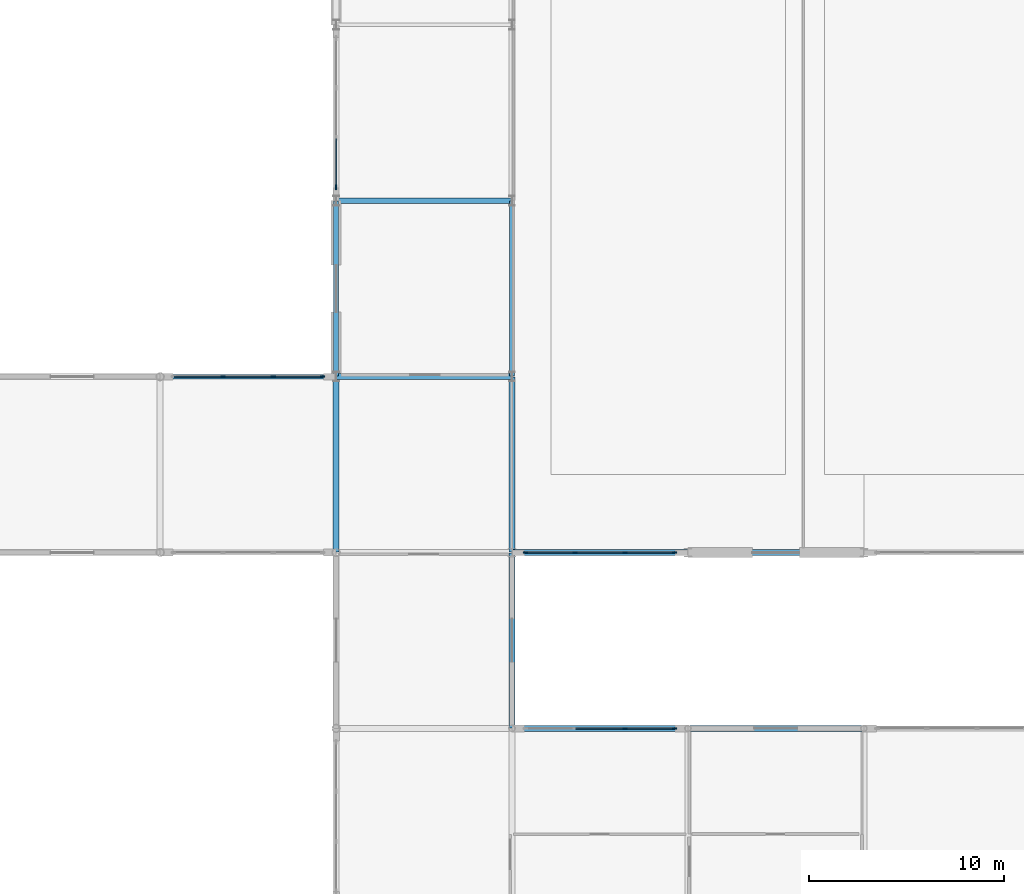
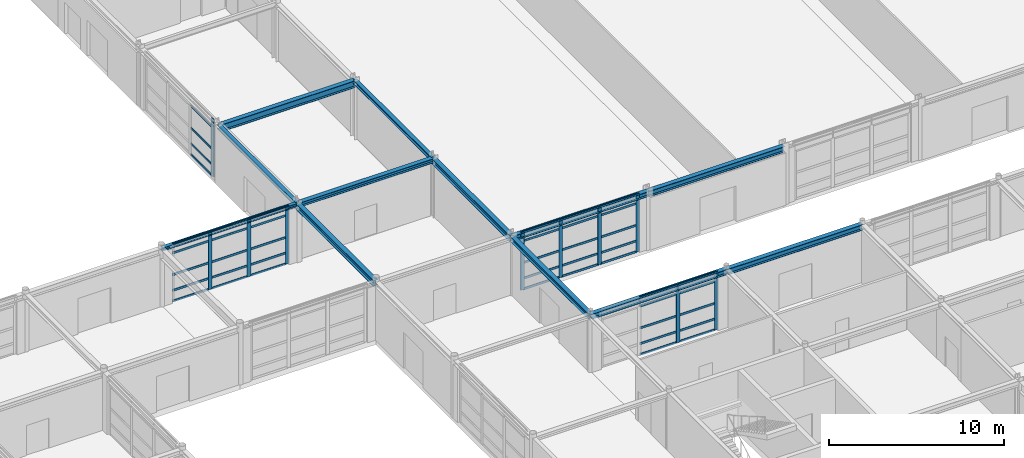
# One storey, part 35 of 72: 54 members, 12 beams, 4 elements without a shape of their own.
"""IFC4 building model written with IfcOpenShell, lengths in metres."""

from ifc_helpers import new_model, si_unit, direction, frame, origin, origin_2d, place, context, subcontext, project, spatial, rectangle, i_section, extrude, material, material_profile, profile_set, type_object, element, aggregate, save


model = new_model("IFC4")

# Units and contexts
model_context = context("Model", 3, precision=1e-05, world=origin(), true_north=direction((0.0, 1.0)))
body_context = subcontext(model_context, "Body", "Model", "MODEL_VIEW")
ifc_project = project(units=[si_unit("LENGTHUNIT", "METRE"), si_unit("AREAUNIT", "SQUARE_METRE"), si_unit("VOLUMEUNIT", "CUBIC_METRE"), si_unit("PLANEANGLEUNIT", "RADIAN"), si_unit("MASSUNIT", "GRAM", prefix="KILO")], contexts=[model_context])

# Site, building, storey
site_placement = place(None, origin())
site = spatial("IfcSite", under=ifc_project, at=site_placement, CompositionType="ELEMENT")
building_placement = place(site_placement, origin())
building = spatial("IfcBuilding", under=site, at=building_placement, Name="Palais des Congres Ocreval", CompositionType="ELEMENT")
storey_placement = place(building_placement, origin())
storey = spatial("IfcBuildingStorey", under=building, at=storey_placement, Name="L00", CompositionType="ELEMENT", Elevation=0.0)

# Curtain wall, members
ifc_material_1 = material(Name="Anodized bronze aluminium and low-E glass", Category="glass")
curtain_wall_type = type_object("IfcCurtainWallType", Name="Unitised Curtain Wall 7900x4060", PredefinedType="USERDEFINED", material=ifc_material_1)
curtain_wall_1_placement = place(storey_placement, origin())
curtain_wall_1 = element("IfcCurtainWall", 1, at=curtain_wall_1_placement, inside=storey, type_object=curtain_wall_type, Name="Unitised Curtain Wall CW01 L00", ObjectType="UNITISED CURTAIN WALL", PredefinedType="USERDEFINED")
ifc_material_2 = material(Name="Anodized bronze aluminium", Category="aluminium")
ifc_material_profile_1 = material_profile(ifc_material_2, rectangle(XDim=0.074951171875, YDim=0.239990234375, at=origin_2d()), Name="ALU 75x240")
ifc_profile_set_1 = profile_set([ifc_material_profile_1], Name="Anodized bronze aluminium")
member_type_1 = type_object("IfcMemberType", Name="Curtain Wall Mullion ALU 75x240", PredefinedType="MULLION", material=ifc_profile_set_1)
member_1_placement = place(storey_placement, frame((93.216796875, 81.0, 0.0), z_axis=(0.0, 0.0, 1.0), x_axis=(0.0, 1.0, 0.0)))
member_1 = element("IfcMember", 2, at=member_1_placement, type_object=member_type_1, Name="Curtain Wall Mullion ML01", PredefinedType="MULLION", context=body_context, shape_type="SweptSolid", body=[
    extrude(rectangle(XDim=0.074951171875, YDim=0.239990234375, at=origin_2d()), origin(), (0.0, 0.0, 1.0), 4.054931640625),
])
member_2_placement = place(storey_placement, frame((95.783203125, 81.0, 0.0), z_axis=(0.0, 0.0, 1.0), x_axis=(0.0, 1.0, 0.0)))
member_2 = element("IfcMember", 3, at=member_2_placement, type_object=member_type_1, Name="Curtain Wall Mullion ML01", PredefinedType="MULLION", context=body_context, shape_type="SweptSolid", body=[
    extrude(rectangle(XDim=0.074951171875, YDim=0.239990234375, at=origin_2d()), origin(), (0.0, 0.0, 1.0), 4.054931640625),
])
member_3_placement = place(storey_placement, frame((98.3125, 81.0, 0.0), z_axis=(0.0, 0.0, 1.0), x_axis=(0.0, 1.0, 0.0)))
member_3 = element("IfcMember", 4, at=member_3_placement, type_object=member_type_1, Name="Curtain Wall Mullion ML01", PredefinedType="MULLION", context=body_context, shape_type="SweptSolid", body=[
    extrude(rectangle(XDim=0.074951171875, YDim=0.239990234375, at=origin_2d()), origin(), (0.0, 0.0, 1.0), 4.054931640625),
])

# Curtain wall, member
curtain_wall_2_placement = place(storey_placement, origin())
curtain_wall_2 = element("IfcCurtainWall", 5, at=curtain_wall_2_placement, inside=storey, type_object=curtain_wall_type, Name="Unitised Curtain Wall CW01 L00", ObjectType="UNITISED CURTAIN WALL", PredefinedType="USERDEFINED")
member_4_placement = place(storey_placement, frame((99.0, 90.6875, 0.0), z_axis=(0.0, 0.0, 1.0), x_axis=(-1.0, 0.0, 0.0)))
member_4 = element("IfcMember", 6, at=member_4_placement, type_object=member_type_1, Name="Curtain Wall Mullion ML01", PredefinedType="MULLION", context=body_context, shape_type="SweptSolid", body=[
    extrude(rectangle(XDim=0.074951171875, YDim=0.239990234375, at=origin_2d()), origin(), (0.0, 0.0, 1.0), 4.054931640625),
])

# Curtain wall, members
curtain_wall_3_placement = place(storey_placement, origin())
curtain_wall_3 = element("IfcCurtainWall", 7, at=curtain_wall_3_placement, inside=storey, type_object=curtain_wall_type, Name="Unitised Curtain Wall CW01 L00", ObjectType="UNITISED CURTAIN WALL", PredefinedType="USERDEFINED")
member_5_placement = place(storey_placement, frame((116.3125, 72.0, 0.0), z_axis=(0.0, 0.0, 1.0), x_axis=(0.0, -1.0, 0.0)))
member_5 = element("IfcMember", 8, at=member_5_placement, type_object=member_type_1, Name="Curtain Wall Mullion ML01", PredefinedType="MULLION", context=body_context, shape_type="SweptSolid", body=[
    extrude(rectangle(XDim=0.074951171875, YDim=0.239990234375, at=origin_2d()), origin(), (0.0, 0.0, 1.0), 4.054931640625),
])
member_6_placement = place(storey_placement, frame((113.783203125, 72.0, 0.0), z_axis=(0.0, 0.0, 1.0), x_axis=(0.0, -1.0, 0.0)))
member_6 = element("IfcMember", 9, at=member_6_placement, type_object=member_type_1, Name="Curtain Wall Mullion ML01", PredefinedType="MULLION", context=body_context, shape_type="SweptSolid", body=[
    extrude(rectangle(XDim=0.074951171875, YDim=0.239990234375, at=origin_2d()), origin(), (0.0, 0.0, 1.0), 4.054931640625),
])
member_7_placement = place(storey_placement, frame((111.216796875, 72.0, 0.0), z_axis=(0.0, 0.0, 1.0), x_axis=(0.0, -1.0, 0.0)))
member_7 = element("IfcMember", 10, at=member_7_placement, type_object=member_type_1, Name="Curtain Wall Mullion ML01", PredefinedType="MULLION", context=body_context, shape_type="SweptSolid", body=[
    extrude(rectangle(XDim=0.074951171875, YDim=0.239990234375, at=origin_2d()), origin(), (0.0, 0.0, 1.0), 4.054931640625),
])
member_8_placement = place(storey_placement, frame((108.6875, 72.0, 0.0), z_axis=(0.0, 0.0, 1.0), x_axis=(0.0, -1.0, 0.0)))
member_8 = element("IfcMember", 11, at=member_8_placement, type_object=member_type_1, Name="Curtain Wall Mullion ML01", PredefinedType="MULLION", context=body_context, shape_type="SweptSolid", body=[
    extrude(rectangle(XDim=0.074951171875, YDim=0.239990234375, at=origin_2d()), origin(), (0.0, 0.0, 1.0), 4.054931640625),
])

curtain_wall_4_placement = place(storey_placement, origin())
curtain_wall_4 = element("IfcCurtainWall", 12, at=curtain_wall_4_placement, inside=storey, type_object=curtain_wall_type, Name="Unitised Curtain Wall CW01 L00", ObjectType="UNITISED CURTAIN WALL", PredefinedType="USERDEFINED")
member_9_placement = place(storey_placement, frame((113.783203125, 63.0, 0.0), z_axis=(0.0, 0.0, 1.0), x_axis=(0.0, 1.0, 0.0)))
member_9 = element("IfcMember", 13, at=member_9_placement, type_object=member_type_1, Name="Curtain Wall Mullion ML01", PredefinedType="MULLION", context=body_context, shape_type="SweptSolid", body=[
    extrude(rectangle(XDim=0.074951171875, YDim=0.239990234375, at=origin_2d()), origin(), (0.0, 0.0, 1.0), 4.054931640625),
])
member_10_placement = place(storey_placement, frame((116.3125, 63.0, 0.0), z_axis=(0.0, 0.0, 1.0), x_axis=(0.0, 1.0, 0.0)))
member_10 = element("IfcMember", 14, at=member_10_placement, type_object=member_type_1, Name="Curtain Wall Mullion ML01", PredefinedType="MULLION", context=body_context, shape_type="SweptSolid", body=[
    extrude(rectangle(XDim=0.074951171875, YDim=0.239990234375, at=origin_2d()), origin(), (0.0, 0.0, 1.0), 4.054931640625),
])

# Member
ifc_material_profile_2 = material_profile(ifc_material_2, rectangle(XDim=0.06005859375, YDim=0.14990234375, at=origin_2d()), Name="ALU 60x150")
ifc_profile_set_2 = profile_set([ifc_material_profile_2], Name="Anodized bronze aluminium")
member_type_2 = type_object("IfcMemberType", Name="Curtain Wall Transom ALU 60x150", PredefinedType="USERDEFINED", material=ifc_profile_set_2)
member_11_placement = place(storey_placement, frame((90.72509765625, 81.0, 0.030029296875), z_axis=(1.0, 0.0, 0.0), x_axis=(0.0, 1.0, 0.0)))
member_11 = element("IfcMember", 15, at=member_11_placement, type_object=member_type_2, Name="Curtain Wall Transom TR01", ObjectType="TRANSOM", PredefinedType="USERDEFINED", context=body_context, shape_type="SweptSolid", body=[
    extrude(rectangle(XDim=0.06005859375, YDim=0.14990234375, at=origin_2d()), origin(), (0.0, 0.0, 1.0), 2.4541015625),
])

member_12_placement = place(storey_placement, frame((90.72509765625, 81.0, 0.780029296875), z_axis=(1.0, 0.0, 0.0), x_axis=(0.0, 1.0, 0.0)))
member_12 = element("IfcMember", 16, at=member_12_placement, type_object=member_type_2, Name="Curtain Wall Transom TR01", ObjectType="TRANSOM", PredefinedType="USERDEFINED", context=body_context, shape_type="SweptSolid", body=[
    extrude(rectangle(XDim=0.06005859375, YDim=0.14990234375, at=origin_2d()), origin(), (0.0, 0.0, 1.0), 2.4541015625),
])

member_13_placement = place(storey_placement, frame((90.72509765625, 81.0, 1.872802734375), z_axis=(1.0, 0.0, 0.0), x_axis=(0.0, 1.0, 0.0)))
member_13 = element("IfcMember", 17, at=member_13_placement, type_object=member_type_2, Name="Curtain Wall Transom TR01", ObjectType="TRANSOM", PredefinedType="USERDEFINED", context=body_context, shape_type="SweptSolid", body=[
    extrude(rectangle(XDim=0.06005859375, YDim=0.14990234375, at=origin_2d()), origin(), (0.0, 0.0, 1.0), 2.4541015625),
])

member_14_placement = place(storey_placement, frame((90.72509765625, 81.0, 3.405029296875), z_axis=(1.0, 0.0, 0.0), x_axis=(0.0, 1.0, 0.0)))
member_14 = element("IfcMember", 18, at=member_14_placement, type_object=member_type_2, Name="Curtain Wall Transom TR01", ObjectType="TRANSOM", PredefinedType="USERDEFINED", context=body_context, shape_type="SweptSolid", body=[
    extrude(rectangle(XDim=0.06005859375, YDim=0.14990234375, at=origin_2d()), origin(), (0.0, 0.0, 1.0), 2.4541015625),
])

member_15_placement = place(storey_placement, frame((90.72509765625, 81.0, 4.02490234375), z_axis=(1.0, 0.0, 0.0), x_axis=(0.0, 1.0, 0.0)))
member_15 = element("IfcMember", 19, at=member_15_placement, type_object=member_type_2, Name="Curtain Wall Transom TR01", ObjectType="TRANSOM", PredefinedType="USERDEFINED", context=body_context, shape_type="SweptSolid", body=[
    extrude(rectangle(XDim=0.06005859375, YDim=0.14990234375, at=origin_2d()), origin(), (0.0, 0.0, 1.0), 2.4541015625),
])

member_16_placement = place(storey_placement, frame((93.254150390625, 81.0, 0.030029296875), z_axis=(1.0, 0.0, 0.0), x_axis=(0.0, 1.0, 0.0)))
member_16 = element("IfcMember", 20, at=member_16_placement, type_object=member_type_2, Name="Curtain Wall Transom TR01", ObjectType="TRANSOM", PredefinedType="USERDEFINED", context=body_context, shape_type="SweptSolid", body=[
    extrude(rectangle(XDim=0.06005859375, YDim=0.14990234375, at=origin_2d()), origin(), (0.0, 0.0, 1.0), 2.49169921875),
])

member_17_placement = place(storey_placement, frame((93.254150390625, 81.0, 0.780029296875), z_axis=(1.0, 0.0, 0.0), x_axis=(0.0, 1.0, 0.0)))
member_17 = element("IfcMember", 21, at=member_17_placement, type_object=member_type_2, Name="Curtain Wall Transom TR01", ObjectType="TRANSOM", PredefinedType="USERDEFINED", context=body_context, shape_type="SweptSolid", body=[
    extrude(rectangle(XDim=0.06005859375, YDim=0.14990234375, at=origin_2d()), origin(), (0.0, 0.0, 1.0), 2.49169921875),
])

member_18_placement = place(storey_placement, frame((93.254150390625, 81.0, 1.872802734375), z_axis=(1.0, 0.0, 0.0), x_axis=(0.0, 1.0, 0.0)))
member_18 = element("IfcMember", 22, at=member_18_placement, type_object=member_type_2, Name="Curtain Wall Transom TR01", ObjectType="TRANSOM", PredefinedType="USERDEFINED", context=body_context, shape_type="SweptSolid", body=[
    extrude(rectangle(XDim=0.06005859375, YDim=0.14990234375, at=origin_2d()), origin(), (0.0, 0.0, 1.0), 2.49169921875),
])

member_19_placement = place(storey_placement, frame((93.254150390625, 81.0, 3.405029296875), z_axis=(1.0, 0.0, 0.0), x_axis=(0.0, 1.0, 0.0)))
member_19 = element("IfcMember", 23, at=member_19_placement, type_object=member_type_2, Name="Curtain Wall Transom TR01", ObjectType="TRANSOM", PredefinedType="USERDEFINED", context=body_context, shape_type="SweptSolid", body=[
    extrude(rectangle(XDim=0.06005859375, YDim=0.14990234375, at=origin_2d()), origin(), (0.0, 0.0, 1.0), 2.49169921875),
])

member_20_placement = place(storey_placement, frame((93.254150390625, 81.0, 4.02490234375), z_axis=(1.0, 0.0, 0.0), x_axis=(0.0, 1.0, 0.0)))
member_20 = element("IfcMember", 24, at=member_20_placement, type_object=member_type_2, Name="Curtain Wall Transom TR01", ObjectType="TRANSOM", PredefinedType="USERDEFINED", context=body_context, shape_type="SweptSolid", body=[
    extrude(rectangle(XDim=0.06005859375, YDim=0.14990234375, at=origin_2d()), origin(), (0.0, 0.0, 1.0), 2.49169921875),
])

member_21_placement = place(storey_placement, frame((95.82080078125, 81.0, 0.030029296875), z_axis=(1.0, 0.0, 0.0), x_axis=(0.0, 1.0, 0.0)))
member_21 = element("IfcMember", 25, at=member_21_placement, type_object=member_type_2, Name="Curtain Wall Transom TR01", ObjectType="TRANSOM", PredefinedType="USERDEFINED", context=body_context, shape_type="SweptSolid", body=[
    extrude(rectangle(XDim=0.06005859375, YDim=0.14990234375, at=origin_2d()), origin(), (0.0, 0.0, 1.0), 2.4541015625),
])

member_22_placement = place(storey_placement, frame((95.82080078125, 81.0, 0.780029296875), z_axis=(1.0, 0.0, 0.0), x_axis=(0.0, 1.0, 0.0)))
member_22 = element("IfcMember", 26, at=member_22_placement, type_object=member_type_2, Name="Curtain Wall Transom TR01", ObjectType="TRANSOM", PredefinedType="USERDEFINED", context=body_context, shape_type="SweptSolid", body=[
    extrude(rectangle(XDim=0.06005859375, YDim=0.14990234375, at=origin_2d()), origin(), (0.0, 0.0, 1.0), 2.4541015625),
])

member_23_placement = place(storey_placement, frame((95.82080078125, 81.0, 1.872802734375), z_axis=(1.0, 0.0, 0.0), x_axis=(0.0, 1.0, 0.0)))
member_23 = element("IfcMember", 27, at=member_23_placement, type_object=member_type_2, Name="Curtain Wall Transom TR01", ObjectType="TRANSOM", PredefinedType="USERDEFINED", context=body_context, shape_type="SweptSolid", body=[
    extrude(rectangle(XDim=0.06005859375, YDim=0.14990234375, at=origin_2d()), origin(), (0.0, 0.0, 1.0), 2.4541015625),
])

member_24_placement = place(storey_placement, frame((95.82080078125, 81.0, 3.405029296875), z_axis=(1.0, 0.0, 0.0), x_axis=(0.0, 1.0, 0.0)))
member_24 = element("IfcMember", 28, at=member_24_placement, type_object=member_type_2, Name="Curtain Wall Transom TR01", ObjectType="TRANSOM", PredefinedType="USERDEFINED", context=body_context, shape_type="SweptSolid", body=[
    extrude(rectangle(XDim=0.06005859375, YDim=0.14990234375, at=origin_2d()), origin(), (0.0, 0.0, 1.0), 2.4541015625),
])

member_25_placement = place(storey_placement, frame((95.82080078125, 81.0, 4.02490234375), z_axis=(1.0, 0.0, 0.0), x_axis=(0.0, 1.0, 0.0)))
member_25 = element("IfcMember", 29, at=member_25_placement, type_object=member_type_2, Name="Curtain Wall Transom TR01", ObjectType="TRANSOM", PredefinedType="USERDEFINED", context=body_context, shape_type="SweptSolid", body=[
    extrude(rectangle(XDim=0.06005859375, YDim=0.14990234375, at=origin_2d()), origin(), (0.0, 0.0, 1.0), 2.4541015625),
])

aggregate(curtain_wall_1, [member_1, member_2, member_3, member_11, member_12, member_13, member_14, member_15, member_16, member_17, member_18, member_19, member_20, member_21, member_22, member_23, member_24, member_25])

member_26_placement = place(storey_placement, frame((99.0, 90.72509765625, 0.030029296875), z_axis=(0.0, 1.0, 0.0), x_axis=(-1.0, 0.0, 0.0)))
member_26 = element("IfcMember", 30, at=member_26_placement, type_object=member_type_2, Name="Curtain Wall Transom TR01", ObjectType="TRANSOM", PredefinedType="USERDEFINED", context=body_context, shape_type="SweptSolid", body=[
    extrude(rectangle(XDim=0.06005859375, YDim=0.14990234375, at=origin_2d()), origin(), (0.0, 0.0, 1.0), 2.4541015625),
])

member_27_placement = place(storey_placement, frame((99.0, 90.72509765625, 0.780029296875), z_axis=(0.0, 1.0, 0.0), x_axis=(-1.0, 0.0, 0.0)))
member_27 = element("IfcMember", 31, at=member_27_placement, type_object=member_type_2, Name="Curtain Wall Transom TR01", ObjectType="TRANSOM", PredefinedType="USERDEFINED", context=body_context, shape_type="SweptSolid", body=[
    extrude(rectangle(XDim=0.06005859375, YDim=0.14990234375, at=origin_2d()), origin(), (0.0, 0.0, 1.0), 2.4541015625),
])

member_28_placement = place(storey_placement, frame((99.0, 90.72509765625, 1.872802734375), z_axis=(0.0, 1.0, 0.0), x_axis=(-1.0, 0.0, 0.0)))
member_28 = element("IfcMember", 32, at=member_28_placement, type_object=member_type_2, Name="Curtain Wall Transom TR01", ObjectType="TRANSOM", PredefinedType="USERDEFINED", context=body_context, shape_type="SweptSolid", body=[
    extrude(rectangle(XDim=0.06005859375, YDim=0.14990234375, at=origin_2d()), origin(), (0.0, 0.0, 1.0), 2.4541015625),
])

member_29_placement = place(storey_placement, frame((99.0, 90.72509765625, 3.405029296875), z_axis=(0.0, 1.0, 0.0), x_axis=(-1.0, 0.0, 0.0)))
member_29 = element("IfcMember", 33, at=member_29_placement, type_object=member_type_2, Name="Curtain Wall Transom TR01", ObjectType="TRANSOM", PredefinedType="USERDEFINED", context=body_context, shape_type="SweptSolid", body=[
    extrude(rectangle(XDim=0.06005859375, YDim=0.14990234375, at=origin_2d()), origin(), (0.0, 0.0, 1.0), 2.4541015625),
])

aggregate(curtain_wall_2, [member_4, member_26, member_27, member_28, member_29])

member_30_placement = place(storey_placement, frame((116.27490234375, 72.0, 0.030029296875), z_axis=(-1.0, 0.0, 0.0), x_axis=(0.0, -1.0, 0.0)))
member_30 = element("IfcMember", 34, at=member_30_placement, type_object=member_type_2, Name="Curtain Wall Transom TR01", ObjectType="TRANSOM", PredefinedType="USERDEFINED", context=body_context, shape_type="SweptSolid", body=[
    extrude(rectangle(XDim=0.06005859375, YDim=0.14990234375, at=origin_2d()), origin(), (0.0, 0.0, 1.0), 2.4541015625),
])

member_31_placement = place(storey_placement, frame((116.27490234375, 72.0, 0.780029296875), z_axis=(-1.0, 0.0, 0.0), x_axis=(0.0, -1.0, 0.0)))
member_31 = element("IfcMember", 35, at=member_31_placement, type_object=member_type_2, Name="Curtain Wall Transom TR01", ObjectType="TRANSOM", PredefinedType="USERDEFINED", context=body_context, shape_type="SweptSolid", body=[
    extrude(rectangle(XDim=0.06005859375, YDim=0.14990234375, at=origin_2d()), origin(), (0.0, 0.0, 1.0), 2.4541015625),
])

member_32_placement = place(storey_placement, frame((116.27490234375, 72.0, 1.872802734375), z_axis=(-1.0, 0.0, 0.0), x_axis=(0.0, -1.0, 0.0)))
member_32 = element("IfcMember", 36, at=member_32_placement, type_object=member_type_2, Name="Curtain Wall Transom TR01", ObjectType="TRANSOM", PredefinedType="USERDEFINED", context=body_context, shape_type="SweptSolid", body=[
    extrude(rectangle(XDim=0.06005859375, YDim=0.14990234375, at=origin_2d()), origin(), (0.0, 0.0, 1.0), 2.4541015625),
])

member_33_placement = place(storey_placement, frame((116.27490234375, 72.0, 3.405029296875), z_axis=(-1.0, 0.0, 0.0), x_axis=(0.0, -1.0, 0.0)))
member_33 = element("IfcMember", 37, at=member_33_placement, type_object=member_type_2, Name="Curtain Wall Transom TR01", ObjectType="TRANSOM", PredefinedType="USERDEFINED", context=body_context, shape_type="SweptSolid", body=[
    extrude(rectangle(XDim=0.06005859375, YDim=0.14990234375, at=origin_2d()), origin(), (0.0, 0.0, 1.0), 2.4541015625),
])

member_34_placement = place(storey_placement, frame((116.27490234375, 72.0, 4.02490234375), z_axis=(-1.0, 0.0, 0.0), x_axis=(0.0, -1.0, 0.0)))
member_34 = element("IfcMember", 38, at=member_34_placement, type_object=member_type_2, Name="Curtain Wall Transom TR01", ObjectType="TRANSOM", PredefinedType="USERDEFINED", context=body_context, shape_type="SweptSolid", body=[
    extrude(rectangle(XDim=0.06005859375, YDim=0.14990234375, at=origin_2d()), origin(), (0.0, 0.0, 1.0), 2.4541015625),
])

member_35_placement = place(storey_placement, frame((113.745849609375, 72.0, 0.030029296875), z_axis=(-1.0, 0.0, 0.0), x_axis=(0.0, -1.0, 0.0)))
member_35 = element("IfcMember", 39, at=member_35_placement, type_object=member_type_2, Name="Curtain Wall Transom TR01", ObjectType="TRANSOM", PredefinedType="USERDEFINED", context=body_context, shape_type="SweptSolid", body=[
    extrude(rectangle(XDim=0.06005859375, YDim=0.14990234375, at=origin_2d()), origin(), (0.0, 0.0, 1.0), 2.49169921875),
])

member_36_placement = place(storey_placement, frame((113.745849609375, 72.0, 0.780029296875), z_axis=(-1.0, 0.0, 0.0), x_axis=(0.0, -1.0, 0.0)))
member_36 = element("IfcMember", 40, at=member_36_placement, type_object=member_type_2, Name="Curtain Wall Transom TR01", ObjectType="TRANSOM", PredefinedType="USERDEFINED", context=body_context, shape_type="SweptSolid", body=[
    extrude(rectangle(XDim=0.06005859375, YDim=0.14990234375, at=origin_2d()), origin(), (0.0, 0.0, 1.0), 2.49169921875),
])

member_37_placement = place(storey_placement, frame((113.745849609375, 72.0, 1.872802734375), z_axis=(-1.0, 0.0, 0.0), x_axis=(0.0, -1.0, 0.0)))
member_37 = element("IfcMember", 41, at=member_37_placement, type_object=member_type_2, Name="Curtain Wall Transom TR01", ObjectType="TRANSOM", PredefinedType="USERDEFINED", context=body_context, shape_type="SweptSolid", body=[
    extrude(rectangle(XDim=0.06005859375, YDim=0.14990234375, at=origin_2d()), origin(), (0.0, 0.0, 1.0), 2.49169921875),
])

member_38_placement = place(storey_placement, frame((113.745849609375, 72.0, 3.405029296875), z_axis=(-1.0, 0.0, 0.0), x_axis=(0.0, -1.0, 0.0)))
member_38 = element("IfcMember", 42, at=member_38_placement, type_object=member_type_2, Name="Curtain Wall Transom TR01", ObjectType="TRANSOM", PredefinedType="USERDEFINED", context=body_context, shape_type="SweptSolid", body=[
    extrude(rectangle(XDim=0.06005859375, YDim=0.14990234375, at=origin_2d()), origin(), (0.0, 0.0, 1.0), 2.49169921875),
])

member_39_placement = place(storey_placement, frame((113.745849609375, 72.0, 4.02490234375), z_axis=(-1.0, 0.0, 0.0), x_axis=(0.0, -1.0, 0.0)))
member_39 = element("IfcMember", 43, at=member_39_placement, type_object=member_type_2, Name="Curtain Wall Transom TR01", ObjectType="TRANSOM", PredefinedType="USERDEFINED", context=body_context, shape_type="SweptSolid", body=[
    extrude(rectangle(XDim=0.06005859375, YDim=0.14990234375, at=origin_2d()), origin(), (0.0, 0.0, 1.0), 2.49169921875),
])

member_40_placement = place(storey_placement, frame((111.17919921875, 72.0, 0.030029296875), z_axis=(-1.0, 0.0, 0.0), x_axis=(0.0, -1.0, 0.0)))
member_40 = element("IfcMember", 44, at=member_40_placement, type_object=member_type_2, Name="Curtain Wall Transom TR01", ObjectType="TRANSOM", PredefinedType="USERDEFINED", context=body_context, shape_type="SweptSolid", body=[
    extrude(rectangle(XDim=0.06005859375, YDim=0.14990234375, at=origin_2d()), origin(), (0.0, 0.0, 1.0), 2.4541015625),
])

member_41_placement = place(storey_placement, frame((111.17919921875, 72.0, 0.780029296875), z_axis=(-1.0, 0.0, 0.0), x_axis=(0.0, -1.0, 0.0)))
member_41 = element("IfcMember", 45, at=member_41_placement, type_object=member_type_2, Name="Curtain Wall Transom TR01", ObjectType="TRANSOM", PredefinedType="USERDEFINED", context=body_context, shape_type="SweptSolid", body=[
    extrude(rectangle(XDim=0.06005859375, YDim=0.14990234375, at=origin_2d()), origin(), (0.0, 0.0, 1.0), 2.4541015625),
])

member_42_placement = place(storey_placement, frame((111.17919921875, 72.0, 1.872802734375), z_axis=(-1.0, 0.0, 0.0), x_axis=(0.0, -1.0, 0.0)))
member_42 = element("IfcMember", 46, at=member_42_placement, type_object=member_type_2, Name="Curtain Wall Transom TR01", ObjectType="TRANSOM", PredefinedType="USERDEFINED", context=body_context, shape_type="SweptSolid", body=[
    extrude(rectangle(XDim=0.06005859375, YDim=0.14990234375, at=origin_2d()), origin(), (0.0, 0.0, 1.0), 2.4541015625),
])

member_43_placement = place(storey_placement, frame((111.17919921875, 72.0, 3.405029296875), z_axis=(-1.0, 0.0, 0.0), x_axis=(0.0, -1.0, 0.0)))
member_43 = element("IfcMember", 47, at=member_43_placement, type_object=member_type_2, Name="Curtain Wall Transom TR01", ObjectType="TRANSOM", PredefinedType="USERDEFINED", context=body_context, shape_type="SweptSolid", body=[
    extrude(rectangle(XDim=0.06005859375, YDim=0.14990234375, at=origin_2d()), origin(), (0.0, 0.0, 1.0), 2.4541015625),
])

member_44_placement = place(storey_placement, frame((111.17919921875, 72.0, 4.02490234375), z_axis=(-1.0, 0.0, 0.0), x_axis=(0.0, -1.0, 0.0)))
member_44 = element("IfcMember", 48, at=member_44_placement, type_object=member_type_2, Name="Curtain Wall Transom TR01", ObjectType="TRANSOM", PredefinedType="USERDEFINED", context=body_context, shape_type="SweptSolid", body=[
    extrude(rectangle(XDim=0.06005859375, YDim=0.14990234375, at=origin_2d()), origin(), (0.0, 0.0, 1.0), 2.4541015625),
])

aggregate(curtain_wall_3, [member_5, member_6, member_7, member_8, member_30, member_31, member_32, member_33, member_34, member_35, member_36, member_37, member_38, member_39, member_40, member_41, member_42, member_43, member_44])

member_45_placement = place(storey_placement, frame((111.254150390625, 63.0, 0.030029296875), z_axis=(1.0, 0.0, 0.0), x_axis=(0.0, 1.0, 0.0)))
member_45 = element("IfcMember", 49, at=member_45_placement, type_object=member_type_2, Name="Curtain Wall Transom TR01", ObjectType="TRANSOM", PredefinedType="USERDEFINED", context=body_context, shape_type="SweptSolid", body=[
    extrude(rectangle(XDim=0.06005859375, YDim=0.14990234375, at=origin_2d()), origin(), (0.0, 0.0, 1.0), 2.49169921875),
])

member_46_placement = place(storey_placement, frame((111.254150390625, 63.0, 0.780029296875), z_axis=(1.0, 0.0, 0.0), x_axis=(0.0, 1.0, 0.0)))
member_46 = element("IfcMember", 50, at=member_46_placement, type_object=member_type_2, Name="Curtain Wall Transom TR01", ObjectType="TRANSOM", PredefinedType="USERDEFINED", context=body_context, shape_type="SweptSolid", body=[
    extrude(rectangle(XDim=0.06005859375, YDim=0.14990234375, at=origin_2d()), origin(), (0.0, 0.0, 1.0), 2.49169921875),
])

member_47_placement = place(storey_placement, frame((111.254150390625, 63.0, 1.872802734375), z_axis=(1.0, 0.0, 0.0), x_axis=(0.0, 1.0, 0.0)))
member_47 = element("IfcMember", 51, at=member_47_placement, type_object=member_type_2, Name="Curtain Wall Transom TR01", ObjectType="TRANSOM", PredefinedType="USERDEFINED", context=body_context, shape_type="SweptSolid", body=[
    extrude(rectangle(XDim=0.06005859375, YDim=0.14990234375, at=origin_2d()), origin(), (0.0, 0.0, 1.0), 2.49169921875),
])

member_48_placement = place(storey_placement, frame((111.254150390625, 63.0, 3.405029296875), z_axis=(1.0, 0.0, 0.0), x_axis=(0.0, 1.0, 0.0)))
member_48 = element("IfcMember", 52, at=member_48_placement, type_object=member_type_2, Name="Curtain Wall Transom TR01", ObjectType="TRANSOM", PredefinedType="USERDEFINED", context=body_context, shape_type="SweptSolid", body=[
    extrude(rectangle(XDim=0.06005859375, YDim=0.14990234375, at=origin_2d()), origin(), (0.0, 0.0, 1.0), 2.49169921875),
])

member_49_placement = place(storey_placement, frame((111.254150390625, 63.0, 4.02490234375), z_axis=(1.0, 0.0, 0.0), x_axis=(0.0, 1.0, 0.0)))
member_49 = element("IfcMember", 53, at=member_49_placement, type_object=member_type_2, Name="Curtain Wall Transom TR01", ObjectType="TRANSOM", PredefinedType="USERDEFINED", context=body_context, shape_type="SweptSolid", body=[
    extrude(rectangle(XDim=0.06005859375, YDim=0.14990234375, at=origin_2d()), origin(), (0.0, 0.0, 1.0), 2.49169921875),
])

member_50_placement = place(storey_placement, frame((113.82080078125, 63.0, 0.030029296875), z_axis=(1.0, 0.0, 0.0), x_axis=(0.0, 1.0, 0.0)))
member_50 = element("IfcMember", 54, at=member_50_placement, type_object=member_type_2, Name="Curtain Wall Transom TR01", ObjectType="TRANSOM", PredefinedType="USERDEFINED", context=body_context, shape_type="SweptSolid", body=[
    extrude(rectangle(XDim=0.06005859375, YDim=0.14990234375, at=origin_2d()), origin(), (0.0, 0.0, 1.0), 2.4541015625),
])

member_51_placement = place(storey_placement, frame((113.82080078125, 63.0, 0.780029296875), z_axis=(1.0, 0.0, 0.0), x_axis=(0.0, 1.0, 0.0)))
member_51 = element("IfcMember", 55, at=member_51_placement, type_object=member_type_2, Name="Curtain Wall Transom TR01", ObjectType="TRANSOM", PredefinedType="USERDEFINED", context=body_context, shape_type="SweptSolid", body=[
    extrude(rectangle(XDim=0.06005859375, YDim=0.14990234375, at=origin_2d()), origin(), (0.0, 0.0, 1.0), 2.4541015625),
])

member_52_placement = place(storey_placement, frame((113.82080078125, 63.0, 1.872802734375), z_axis=(1.0, 0.0, 0.0), x_axis=(0.0, 1.0, 0.0)))
member_52 = element("IfcMember", 56, at=member_52_placement, type_object=member_type_2, Name="Curtain Wall Transom TR01", ObjectType="TRANSOM", PredefinedType="USERDEFINED", context=body_context, shape_type="SweptSolid", body=[
    extrude(rectangle(XDim=0.06005859375, YDim=0.14990234375, at=origin_2d()), origin(), (0.0, 0.0, 1.0), 2.4541015625),
])

member_53_placement = place(storey_placement, frame((113.82080078125, 63.0, 3.405029296875), z_axis=(1.0, 0.0, 0.0), x_axis=(0.0, 1.0, 0.0)))
member_53 = element("IfcMember", 57, at=member_53_placement, type_object=member_type_2, Name="Curtain Wall Transom TR01", ObjectType="TRANSOM", PredefinedType="USERDEFINED", context=body_context, shape_type="SweptSolid", body=[
    extrude(rectangle(XDim=0.06005859375, YDim=0.14990234375, at=origin_2d()), origin(), (0.0, 0.0, 1.0), 2.4541015625),
])

member_54_placement = place(storey_placement, frame((113.82080078125, 63.0, 4.02490234375), z_axis=(1.0, 0.0, 0.0), x_axis=(0.0, 1.0, 0.0)))
member_54 = element("IfcMember", 58, at=member_54_placement, type_object=member_type_2, Name="Curtain Wall Transom TR01", ObjectType="TRANSOM", PredefinedType="USERDEFINED", context=body_context, shape_type="SweptSolid", body=[
    extrude(rectangle(XDim=0.06005859375, YDim=0.14990234375, at=origin_2d()), origin(), (0.0, 0.0, 1.0), 2.4541015625),
])

aggregate(curtain_wall_4, [member_9, member_10, member_45, member_46, member_47, member_48, member_49, member_50, member_51, member_52, member_53, member_54])

# Beams
ifc_material_3 = material(Name="Steel S355", Category="steel")
ifc_material_profile_3 = material_profile(ifc_material_3, i_section(OverallWidth=0.260009765625, OverallDepth=0.260009765625, WebThickness=0.010009765625, FlangeThickness=0.017578125, at=origin_2d()), Name="HEB 260")
ifc_profile_set_3 = profile_set([ifc_material_profile_3], Name="Steel S355")
beam_type_1 = type_object("IfcBeamType", Name="Opening Lintel HEB 260 Steel S355", PredefinedType="LINTEL", material=ifc_profile_set_3)
for number, where, z_axis, x_axis, name in (
    (59, (99.0, 81.02001953125, 3.925048828125), (0.0, 1.0, 0.0), (-1.0, 0.0, 0.0), "Girder LN01 L00"),
    (60, (108.0, 81.02001953125, 3.925048828125), (0.0, 1.0, 0.0), (-1.0, 0.0, 0.0), "Girder LN01 L00"),
):
    element("IfcBeam", number, at=place(storey_placement, frame(where, z_axis=z_axis, x_axis=x_axis)), inside=storey, type_object=beam_type_1, Name=name, PredefinedType="LINTEL", context=body_context, shape_type="SweptSolid", body=[
        extrude(i_section(OverallWidth=0.260009765625, OverallDepth=0.260009765625, WebThickness=0.010009765625, FlangeThickness=0.017578125, at=origin_2d()), origin(), (0.0, 0.0, 1.0), 8.9599609375),
    ])
ifc_material_profile_4 = material_profile(ifc_material_3, i_section(OverallWidth=0.239990234375, OverallDepth=0.22998046875, WebThickness=0.007568359375, FlangeThickness=0.011962890625, at=origin_2d()), Name="HEA 240")
ifc_profile_set_4 = profile_set([ifc_material_profile_4], Name="Steel S355")
beam_type_2 = type_object("IfcBeamType", Name="Perimeter Spandrel HEA 240 Steel S355", PredefinedType="SPANDREL", material=ifc_profile_set_4)
beam_1_placement = place(storey_placement, frame((90.02001953125, 81.0, 3.93994140625), z_axis=(1.0, 0.0, 0.0), x_axis=(0.0, 1.0, 0.0)))
element("IfcBeam", 61, at=beam_1_placement, inside=storey, type_object=beam_type_2, Name="Beam SP01 L00", PredefinedType="SPANDREL", context=body_context, shape_type="SweptSolid", body=[
    extrude(i_section(OverallWidth=0.239990234375, OverallDepth=0.22998046875, WebThickness=0.007568359375, FlangeThickness=0.011962890625, at=origin_2d()), origin(), (0.0, 0.0, 1.0), 8.9599609375),
])
ifc_material_profile_5 = material_profile(ifc_material_3, i_section(OverallWidth=0.300048828125, OverallDepth=0.300048828125, WebThickness=0.010986328125, FlangeThickness=0.01904296875, at=origin_2d()), Name="HEB 300")
ifc_profile_set_5 = profile_set([ifc_material_profile_5], Name="Steel S355")
beam_type_3 = type_object("IfcBeamType", Name="Perimeter Spandrel HEB 300 Steel S355", PredefinedType="SPANDREL", material=ifc_profile_set_5)
beam_2_placement = place(storey_placement, frame((99.02001953125, 81.0, 3.905029296875), z_axis=(1.0, 0.0, 0.0), x_axis=(0.0, 1.0, 0.0)))
element("IfcBeam", 62, at=beam_2_placement, inside=storey, type_object=beam_type_3, Name="Beam SP02 L00", PredefinedType="SPANDREL", context=body_context, shape_type="SweptSolid", body=[
    extrude(i_section(OverallWidth=0.300048828125, OverallDepth=0.300048828125, WebThickness=0.010986328125, FlangeThickness=0.01904296875, at=origin_2d()), origin(), (0.0, 0.0, 1.0), 8.9599609375),
])
ifc_material_profile_6 = material_profile(ifc_material_3, i_section(OverallWidth=0.300048828125, OverallDepth=0.360107421875, WebThickness=0.012451171875, FlangeThickness=0.0224609375, at=origin_2d()), Name="HEB 360")
ifc_profile_set_6 = profile_set([ifc_material_profile_6], Name="Steel S355")
beam_type_4 = type_object("IfcBeamType", Name="Perimeter Spandrel HEB 360 Steel S355", PredefinedType="SPANDREL", material=ifc_profile_set_6)
for number, where, z_axis, x_axis, name in (
    (63, (108.02001953125, 63.0, 3.875), (1.0, 0.0, 0.0), (0.0, 1.0, 0.0), "Beam SP03 L00"),
    (64, (108.0, 63.02001953125, 3.875), (0.0, 1.0, 0.0), (-1.0, 0.0, 0.0), "Girder SP03 L00"),
    (65, (108.02001953125, 72.0, 3.875), (1.0, 0.0, 0.0), (0.0, 1.0, 0.0), "Beam SP03 L00"),
):
    element("IfcBeam", number, at=place(storey_placement, frame(where, z_axis=z_axis, x_axis=x_axis)), inside=storey, type_object=beam_type_4, Name=name, PredefinedType="SPANDREL", context=body_context, shape_type="SweptSolid", body=[
        extrude(i_section(OverallWidth=0.300048828125, OverallDepth=0.360107421875, WebThickness=0.012451171875, FlangeThickness=0.0224609375, at=origin_2d()), origin(), (0.0, 0.0, 1.0), 8.9599609375),
    ])
ifc_material_profile_7 = material_profile(ifc_material_3, i_section(OverallWidth=0.300048828125, OverallDepth=0.39990234375, WebThickness=0.013427734375, FlangeThickness=0.02392578125, at=origin_2d()), Name="HEB 400")
ifc_profile_set_7 = profile_set([ifc_material_profile_7], Name="Steel S355")
beam_type_5 = type_object("IfcBeamType", Name="Perimeter Spandrel HEB 400 Steel S355", PredefinedType="SPANDREL", material=ifc_profile_set_7)
for number, where, z_axis, x_axis, name in (
    (66, (99.0, 72.02001953125, 3.85498046875), (0.0, 1.0, 0.0), (-1.0, 0.0, 0.0), "Girder SP04 L00"),
    (67, (108.0, 72.02001953125, 3.85498046875), (0.0, 1.0, 0.0), (-1.0, 0.0, 0.0), "Girder SP04 L00"),
    (68, (117.02001953125, 63.0, 3.85498046875), (1.0, 0.0, 0.0), (0.0, 1.0, 0.0), "Beam SP04 L00"),
    (69, (117.02001953125, 72.0, 3.85498046875), (1.0, 0.0, 0.0), (0.0, 1.0, 0.0), "Beam SP04 L00"),
):
    element("IfcBeam", number, at=place(storey_placement, frame(where, z_axis=z_axis, x_axis=x_axis)), inside=storey, type_object=beam_type_5, Name=name, PredefinedType="SPANDREL", context=body_context, shape_type="SweptSolid", body=[
        extrude(i_section(OverallWidth=0.300048828125, OverallDepth=0.39990234375, WebThickness=0.013427734375, FlangeThickness=0.02392578125, at=origin_2d()), origin(), (0.0, 0.0, 1.0), 8.9599609375),
    ])
ifc_material_profile_8 = material_profile(ifc_material_3, i_section(OverallWidth=0.300048828125, OverallDepth=0.489990234375, WebThickness=0.011962890625, FlangeThickness=0.02294921875, at=origin_2d()), Name="HEA 500")
ifc_profile_set_8 = profile_set([ifc_material_profile_8], Name="Steel S355")
beam_type_6 = type_object("IfcBeamType", Name="Primary Beam HEA 500 Steel S355", PredefinedType="BEAM", material=ifc_profile_set_8)
beam_3_placement = place(storey_placement, frame((99.02001953125, 90.0, 3.81005859375), z_axis=(1.0, 0.0, 0.0), x_axis=(0.0, 1.0, 0.0)))
element("IfcBeam", 70, at=beam_3_placement, inside=storey, type_object=beam_type_6, Name="Beam B12 L00", PredefinedType="BEAM", context=body_context, shape_type="SweptSolid", body=[
    extrude(i_section(OverallWidth=0.300048828125, OverallDepth=0.489990234375, WebThickness=0.011962890625, FlangeThickness=0.02294921875, at=origin_2d()), origin(), (0.0, 0.0, 1.0), 8.9599609375),
])

save(model, "model.ifc")
